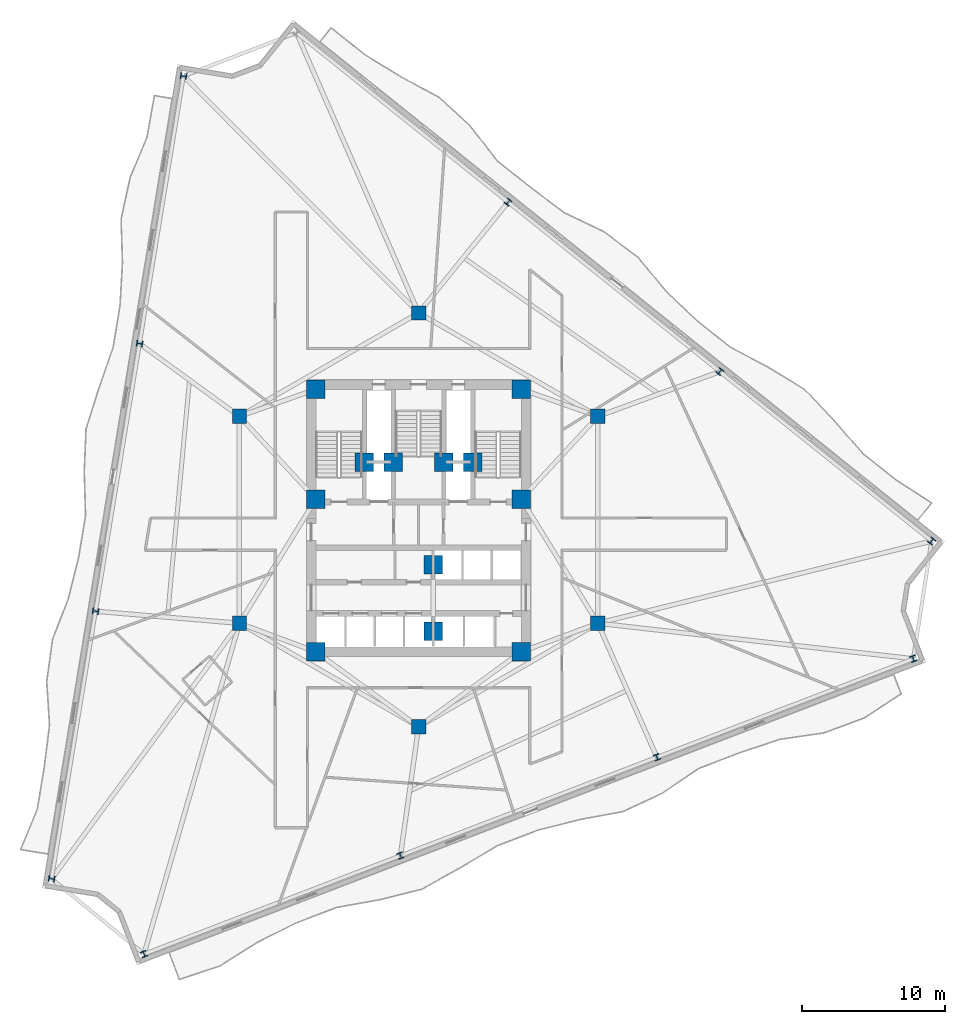
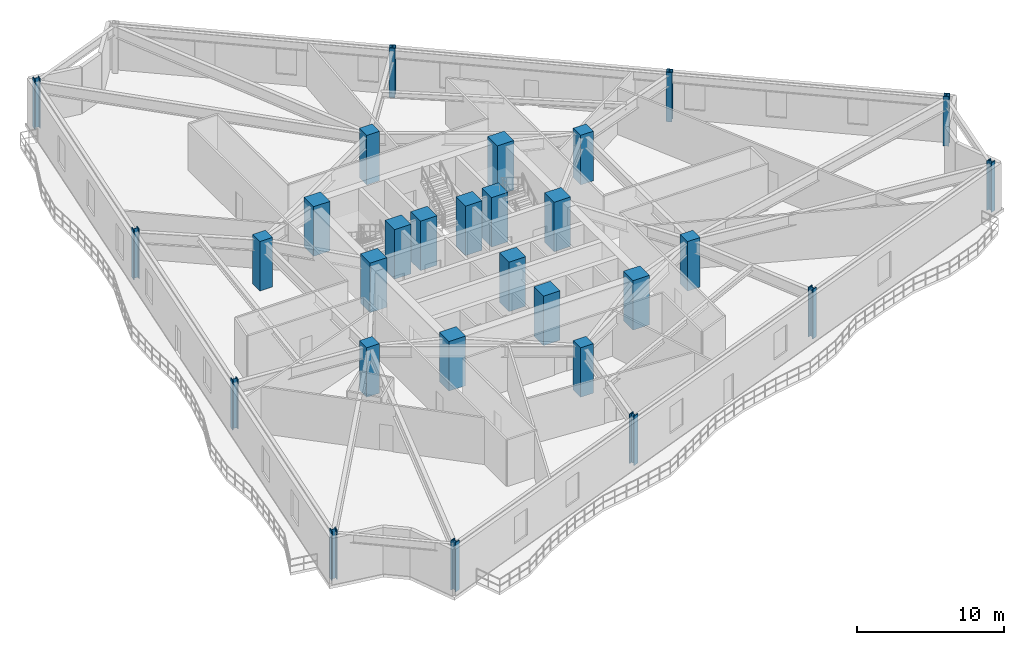
# One storey, part 1 of 11: 29 columns.
"""IFC4 building model written with IfcOpenShell, lengths in metres."""

from ifc_helpers import new_model, si_unit, direction, frame, origin, origin_2d, place, context, subcontext, project, spatial, rectangle, i_section, extrude, material, material_profile, profile_set, type_object, element, save


model = new_model("IFC4")

# Units and contexts
model_context = context("Model", 3, precision=1e-05, world=origin(), true_north=direction((0.0, 1.0)))
body_context = subcontext(model_context, "Body", "Model", "MODEL_VIEW")
ifc_project = project(units=[si_unit("LENGTHUNIT", "METRE"), si_unit("AREAUNIT", "SQUARE_METRE"), si_unit("VOLUMEUNIT", "CUBIC_METRE"), si_unit("PLANEANGLEUNIT", "RADIAN"), si_unit("MASSUNIT", "GRAM", prefix="KILO")], contexts=[model_context])

# Site, building, storey
site_placement = place(None, origin())
site = spatial("IfcSite", under=ifc_project, at=site_placement, CompositionType="ELEMENT")
building_placement = place(site_placement, origin())
building = spatial("IfcBuilding", under=site, at=building_placement, Name="Apsidion Concourse Tower", CompositionType="ELEMENT")
storey_placement = place(building_placement, frame((0.0, 0.0, 132.199951171875)))
storey = spatial("IfcBuildingStorey", under=building, at=storey_placement, Name="L30", CompositionType="ELEMENT", Elevation=132.199951171875)

# Columns
ifc_material_1 = material(Name="Concrete C50/60", Category="concrete")
ifc_material_profile_1 = material_profile(ifc_material_1, rectangle(XDim=1.0, YDim=1.0, at=origin_2d()), Name="RC 1000x1000")
ifc_profile_set_1 = profile_set([ifc_material_profile_1], Name="Concrete C50/60")
column_type_1 = type_object("IfcColumnType", Name="COL-RC-1000", PredefinedType="COLUMN", material=ifc_profile_set_1)
for number, where, z_axis, x_axis, name in (
    (1, (-12.56005859375, -7.25, 0.0), (0.0, 0.0, 1.0), (1.0, 0.0, 0.0), "L30 Interior Spine Column IC1"),
    (2, (12.56005859375, -7.25, 0.0), (0.0, 0.0, 1.0), (1.0, 0.0, 0.0), "L30 Interior Spine Column IC2"),
    (3, (12.56005859375, 7.25, 0.0), (0.0, 0.0, 1.0), (1.0, 0.0, 0.0), "L30 Interior Spine Column IC3"),
    (4, (0.0, 14.5, 0.0), (0.0, 0.0, 1.0), (1.0, 0.0, 0.0), "L30 Interior Spine Column IC4"),
    (5, (-12.56005859375, 7.25, 0.0), (0.0, 0.0, 1.0), (1.0, 0.0, 0.0), "L30 Interior Spine Column IC5"),
    (6, (0.0, -14.5, 0.0), (0.0, 0.0, 1.0), (1.0, 0.0, 0.0), "L30 Interior Spine Column IC6"),
):
    element("IfcColumn", number, at=place(storey_placement, frame(where, z_axis=z_axis, x_axis=x_axis)), inside=storey, type_object=column_type_1, Name=name, PredefinedType="COLUMN", context=body_context, shape_type="SweptSolid", body=[
        extrude(rectangle(XDim=1.0, YDim=1.0, at=origin_2d()), origin(), (0.0, 0.0, 1.0), 4.10009765625),
    ])
ifc_material_profile_2 = material_profile(ifc_material_1, rectangle(XDim=1.300048828125, YDim=1.300048828125, at=origin_2d()), Name="RC 1300x1300")
ifc_profile_set_2 = profile_set([ifc_material_profile_2], Name="Concrete C50/60")
column_type_2 = type_object("IfcColumnType", Name="COL-RC-1300", PredefinedType="COLUMN", material=ifc_profile_set_2)
for number, where, z_axis, x_axis, name in (
    (7, (-7.199951171875, -9.25, 0.0), (0.0, 0.0, 1.0), (1.0, 0.0, 0.0), "L30 Core Super-Column SC1"),
    (8, (7.199951171875, -9.25, 0.0), (0.0, 0.0, 1.0), (1.0, 0.0, 0.0), "L30 Core Super-Column SC2"),
    (9, (7.199951171875, 1.449951171875, 0.0), (0.0, 0.0, 1.0), (1.0, 0.0, 0.0), "L30 Core Super-Column SC3"),
    (10, (7.199951171875, 9.14990234375, 0.0), (0.0, 0.0, 1.0), (1.0, 0.0, 0.0), "L30 Core Super-Column SC4"),
    (11, (-7.199951171875, 9.14990234375, 0.0), (0.0, 0.0, 1.0), (1.0, 0.0, 0.0), "L30 Core Super-Column SC5"),
    (12, (-7.199951171875, 1.449951171875, 0.0), (0.0, 0.0, 1.0), (1.0, 0.0, 0.0), "L30 Core Super-Column SC6"),
    (13, (-3.800048828125, 4.050048828125, 0.0), (0.0, 0.0, 1.0), (1.0, 0.0, 0.0), "L30 Core Super-Column CC1"),
    (14, (3.800048828125, 4.050048828125, 0.0), (0.0, 0.0, 1.0), (1.0, 0.0, 0.0), "L30 Core Super-Column CC2"),
    (15, (-1.77490234375, 4.050048828125, 0.0), (0.0, 0.0, 1.0), (1.0, 0.0, 0.0), "L30 Core Super-Column CC3"),
    (16, (1.77490234375, 4.050048828125, 0.0), (0.0, 0.0, 1.0), (1.0, 0.0, 0.0), "L30 Core Super-Column CC4"),
    (17, (1.02490234375, -3.14990234375, 0.0), (0.0, 0.0, 1.0), (1.0, 0.0, 0.0), "L30 Core Super-Column CC5"),
    (18, (1.02490234375, -7.800048828125, 0.0), (0.0, 0.0, 1.0), (1.0, 0.0, 0.0), "L30 Core Super-Column CC6"),
):
    element("IfcColumn", number, at=place(storey_placement, frame(where, z_axis=z_axis, x_axis=x_axis)), inside=storey, type_object=column_type_2, Name=name, PredefinedType="COLUMN", context=body_context, shape_type="SweptSolid", body=[
        extrude(rectangle(XDim=1.300048828125, YDim=1.300048828125, at=origin_2d()), origin(), (0.0, 0.0, 1.0), 4.10009765625),
    ])
ifc_material_2 = material(Name="Structural steel ASTM A992 Grade 50", Category="steel")
ifc_material_profile_3 = material_profile(ifc_material_2, i_section(OverallWidth=0.410888671875, OverallDepth=0.43408203125, WebThickness=0.035888671875, FlangeThickness=0.057373046875, at=origin_2d()), Name="W14X311")
ifc_profile_set_3 = profile_set([ifc_material_profile_3], Name="Structural steel ASTM A992 Grade 50")
column_type_3 = type_object("IfcColumnType", Name="COL-W14-311", PredefinedType="COLUMN", material=ifc_profile_set_3)
for number, where, z_axis, x_axis, name in (
    (19, (-16.477294921875, 31.100341796875, 0.0), (0.0, 0.0, 1.0), (0.162120515372, 0.986770965572, 0.0), "L30 Rotated Perimeter Column PC01"),
    (20, (-19.55859375, 12.34619140625, 0.0), (0.0, 0.0, 1.0), (0.162120515372, 0.986770965572, 0.0), "L30 Rotated Perimeter Column PC02"),
    (21, (-22.6396484375, -6.407958984375, 0.0), (0.0, 0.0, 1.0), (0.162120515372, 0.986770965572, 0.0), "L30 Rotated Perimeter Column PC03"),
    (22, (-25.720703125, -25.162109375, 0.0), (0.0, 0.0, 1.0), (0.162120515372, 0.986770965572, 0.0), "L30 Rotated Perimeter Column PC04"),
    (23, (-19.247314453125, -30.435302734375, 0.0), (0.0, 0.0, 1.0), (0.933580426497, 0.358367949545, 0.0), "L30 Rotated Perimeter Column PC05"),
    (24, (-1.275146484375, -23.53662109375, 0.0), (0.0, 0.0, 1.0), (0.933580426497, 0.358367949545, 0.0), "L30 Rotated Perimeter Column PC06"),
    (25, (16.69677734375, -16.6376953125, 0.0), (0.0, 0.0, 1.0), (0.933580426497, 0.358367949545, 0.0), "L30 Rotated Perimeter Column PC07"),
    (26, (34.668701171875, -9.739013671875, 0.0), (0.0, 0.0, 1.0), (0.933580426497, 0.358367949545, 0.0), "L30 Rotated Perimeter Column PC08"),
    (27, (35.951171875, -1.488525390625, 0.0), (0.0, 0.0, 1.0), (-0.780757676633, 0.624833938242, 0.0), "L30 Rotated Perimeter Column PC09"),
    (28, (21.1123046875, 10.38671875, 0.0), (0.0, 0.0, 1.0), (-0.780757676633, 0.624833938242, 0.0), "L30 Rotated Perimeter Column PC10"),
    (29, (6.2734375, 22.26220703125, 0.0), (0.0, 0.0, 1.0), (-0.780757676633, 0.624833938242, 0.0), "L30 Rotated Perimeter Column PC11"),
):
    element("IfcColumn", number, at=place(storey_placement, frame(where, z_axis=z_axis, x_axis=x_axis)), inside=storey, type_object=column_type_3, Name=name, PredefinedType="COLUMN", context=body_context, shape_type="SweptSolid", body=[
        extrude(i_section(OverallWidth=0.410888671875, OverallDepth=0.43408203125, WebThickness=0.035888671875, FlangeThickness=0.057373046875, at=origin_2d()), origin(), (0.0, 0.0, 1.0), 4.10009765625),
    ])

save(model, "model.ifc")
